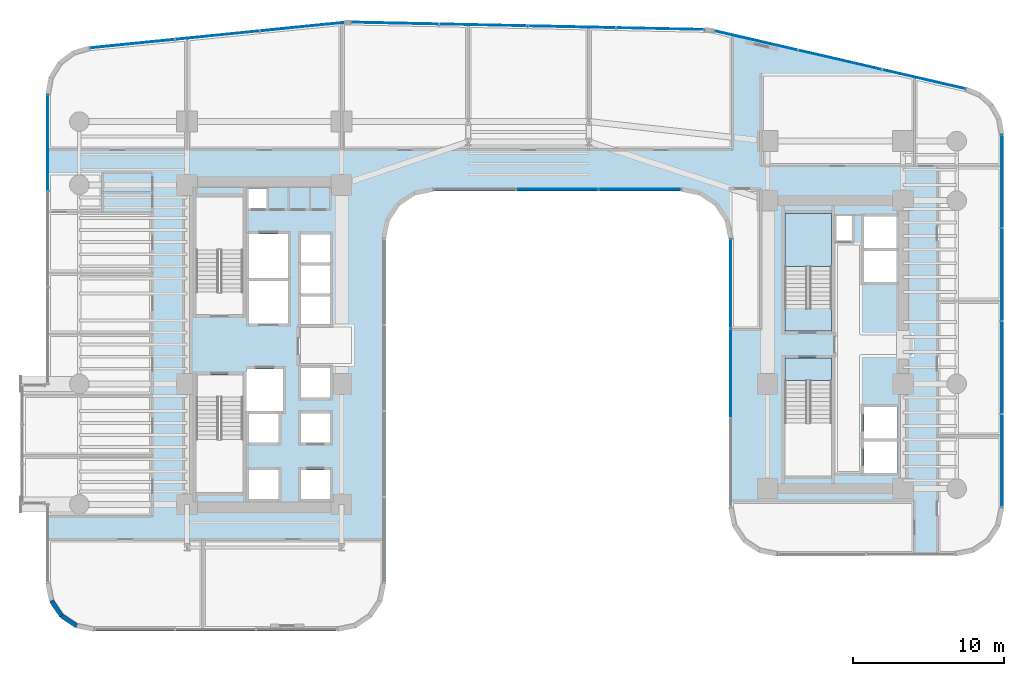
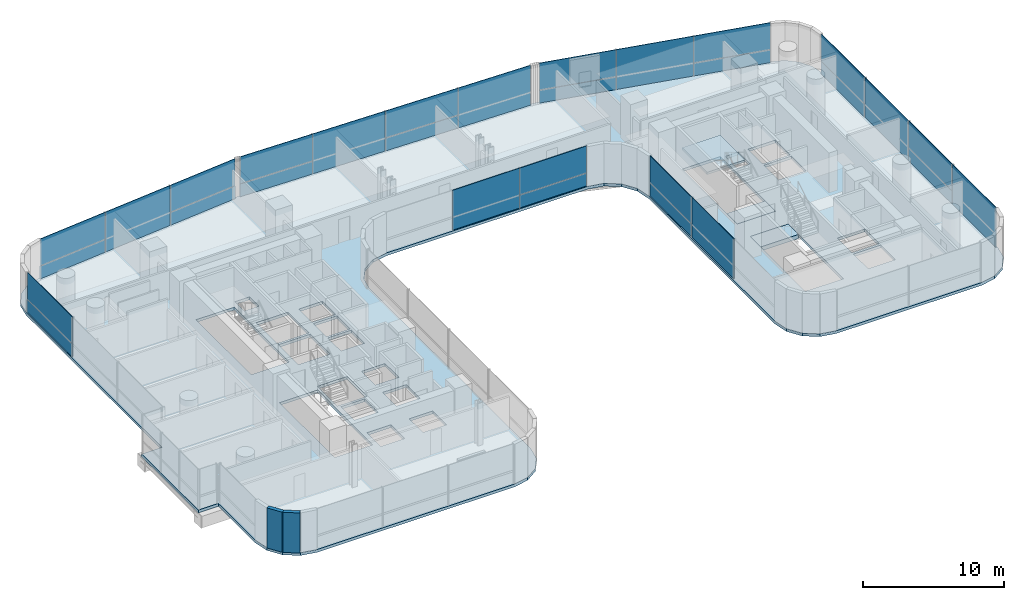
# One storey, part 29 of 39: 30 plates, 4 slabs, 2 walls, 8 elements without a shape of their own.
"""IFC4 building model written with IfcOpenShell, lengths in metres."""

from ifc_helpers import new_model, si_unit, direction, frame, frame_2d, origin, origin_2d, place, context, subcontext, project, spatial, polyline, rectangle, outline, extrude, source, transform, mapped, material, layer, layer_set, type_object, element, aggregate, save


model = new_model("IFC4")

# Units and contexts
model_context = context("Model", 3, precision=1e-05, world=origin(), true_north=direction((0.0, 1.0)))
body_context = subcontext(model_context, "Body", "Model", "MODEL_VIEW")
ifc_project = project(units=[si_unit("LENGTHUNIT", "METRE"), si_unit("AREAUNIT", "SQUARE_METRE"), si_unit("VOLUMEUNIT", "CUBIC_METRE"), si_unit("PLANEANGLEUNIT", "RADIAN"), si_unit("MASSUNIT", "GRAM", prefix="KILO")], contexts=[model_context])

# Site, building, storey
site_placement = place(None, origin())
site = spatial("IfcSite", under=ifc_project, at=site_placement, CompositionType="ELEMENT")
building_placement = place(site_placement, origin())
building = spatial("IfcBuilding", under=site, at=building_placement, Name="Valdorenza Pilgrim Sanctuary Tower", CompositionType="ELEMENT")
storey_placement = place(building_placement, frame((0.0, 0.0, 33.39990234375)))
storey = spatial("IfcBuildingStorey", under=building, at=storey_placement, Name="L07", CompositionType="ELEMENT", Elevation=33.39990234375)

# Slab
ifc_material_1 = material(Name="Concrete C40/50", Category="concrete")
ifc_layer_1 = layer(ifc_material_1, 0.239990234375, Name="Concrete C40/50")
ifc_layer_set_1 = layer_set([ifc_layer_1], Name="Concrete C40/50")
slab_type_1 = type_object("IfcSlabType", Name="SLAB-FLR-220", PredefinedType="FLOOR", material=ifc_layer_set_1)
slab_1_placement = place(storey_placement, frame((0.0, 0.0, -0.239990234375)))
element("IfcSlab", 1, at=slab_1_placement, inside=storey, type_object=slab_type_1, Name="L07 Structural Floor Slab 1", PredefinedType="FLOOR", context=body_context, shape_type="SweptSolid", body=[
    extrude(outline(polyline([(-33.64990234375, -2.60009765625), (-32.0, -2.60009765625), (-32.0, 16.60400390625), (-31.785888671875, 17.754638671875), (-31.172607421875, 18.751220703125), (-30.241943359375, 19.460693359375), (-29.118408203125, 19.7880859375), (-12.192138671875, 21.480712890625), (-11.999755859375, 21.494140625), (-11.806884765625, 21.49609375), (11.66943359375, 21.0068359375), (11.833984375, 20.999267578125), (11.997802734375, 20.983154296875), (12.160888671875, 20.95849609375), (12.322265625, 20.925537109375), (29.01953125, 17.072509765625), (30.00732421875, 16.660888671875), (30.80419921875, 15.946533203125), (31.321044921875, 15.009521484375), (31.5, 13.954345703125), (31.5, -10.800048828125), (31.25634765625, -12.024658203125), (30.562744140625, -13.062744140625), (29.524658203125, -13.75634765625), (28.300048828125, -14.0), (16.5, -14.0), (15.275390625, -13.75634765625), (14.2373046875, -13.062744140625), (13.543701171875, -12.024658203125), (13.300048828125, -10.800048828125), (13.300048828125, 7.0), (13.056396484375, 8.224609375), (12.36279296875, 9.2626953125), (11.32470703125, 9.956298828125), (10.10009765625, 10.199951171875), (-6.300048828125, 10.199951171875), (-7.524658203125, 9.956298828125), (-8.562744140625, 9.2626953125), (-9.25634765625, 8.224609375), (-9.5, 7.0), (-9.5, -15.800048828125), (-9.74365234375, -17.024658203125), (-10.437255859375, -18.062744140625), (-11.475341796875, -18.75634765625), (-12.699951171875, -19.0), (-28.800048828125, -19.0), (-30.024658203125, -18.75634765625), (-31.062744140625, -18.062744140625), (-31.75634765625, -17.024658203125), (-32.0, -15.800048828125), (-32.0, -10.60009765625), (-33.64990234375, -10.60009765625), (-33.64990234375, -2.60009765625)]), holes=[polyline([(-16.60009765625, -10.25), (-16.60009765625, -8.300048828125), (-18.550048828125, -8.300048828125), (-18.550048828125, -10.25), (-16.60009765625, -10.25)]), polyline([(-22.050048828125, -9.800048828125), (-18.93994140625, -9.800048828125), (-18.93994140625, -3.485107421875), (-18.93994140625, -2.0), (-22.050048828125, -2.0), (-22.050048828125, -3.485107421875), (-22.050048828125, -9.800048828125)]), polyline([(-18.550048828125, -6.5), (-16.60009765625, -6.5), (-16.60009765625, -4.60009765625), (-18.550048828125, -4.60009765625), (-18.550048828125, -6.5)]), polyline([(-13.179931640625, -6.5), (-13.179931640625, -4.550048828125), (-15.10009765625, -4.550048828125), (-15.10009765625, -6.5), (-13.179931640625, -6.5)]), polyline([(-18.719970703125, -4.39990234375), (-16.300048828125, -4.39990234375), (-16.300048828125, -1.60009765625), (-18.719970703125, -1.60009765625), (-18.719970703125, -4.39990234375)]), polyline([(-13.179931640625, -3.5), (-13.179931640625, -1.550048828125), (-15.10009765625, -1.550048828125), (-15.10009765625, -3.5), (-13.179931640625, -3.5)]), polyline([(-22.050048828125, 2.0), (-18.93994140625, 2.0), (-18.93994140625, 3.485107421875), (-18.93994140625, 9.800048828125), (-22.050048828125, 9.800048828125), (-22.050048828125, 3.485107421875), (-22.050048828125, 2.0)]), polyline([(-18.550048828125, 1.39990234375), (-15.949951171875, 1.39990234375), (-15.949951171875, 4.22509765625), (-18.550048828125, 4.22509765625), (-18.550048828125, 1.39990234375)]), polyline([(-15.949951171875, 4.425048828125), (-15.949951171875, 7.35009765625), (-18.550048828125, 7.35009765625), (-18.550048828125, 4.425048828125), (-15.949951171875, 4.425048828125)]), polyline([(-15.10009765625, 5.449951171875), (-13.179931640625, 5.449951171875), (-13.179931640625, 7.300048828125), (-15.10009765625, 7.300048828125), (-15.10009765625, 5.449951171875)]), polyline([(-17.360107421875, 9.030029296875), (-17.360107421875, 10.35009765625), (-18.570068359375, 10.35009765625), (-18.570068359375, 9.030029296875), (-17.360107421875, 9.030029296875)]), polyline([(-15.10009765625, -10.25), (-13.179931640625, -10.25), (-13.179931640625, -8.300048828125), (-15.10009765625, -8.300048828125), (-15.10009765625, -10.25)]), polyline([(22.25, -8.5), (24.47998046875, -8.5), (24.47998046875, -6.425048828125), (22.25, -6.425048828125), (22.25, -8.5)]), polyline([(17.0, -2.385009765625), (17.0, -8.699951171875), (20.110107421875, -8.699951171875), (20.110107421875, -2.385009765625), (20.110107421875, -0.89990234375), (17.0, -0.89990234375), (17.0, -2.385009765625)]), polyline([(22.25, -6.22509765625), (24.47998046875, -6.22509765625), (24.47998046875, -4.14990234375), (22.25, -4.14990234375), (22.25, -6.22509765625)]), polyline([(17.0, 0.89990234375), (20.110107421875, 0.89990234375), (20.110107421875, 2.385009765625), (20.110107421875, 8.699951171875), (17.0, 8.699951171875), (17.0, 2.385009765625), (17.0, 0.89990234375)]), polyline([(-15.10009765625, 1.35009765625), (-13.179931640625, 1.35009765625), (-13.179931640625, 3.199951171875), (-15.10009765625, 3.199951171875), (-15.10009765625, 1.35009765625)]), polyline([(-15.10009765625, 3.39990234375), (-13.179931640625, 3.39990234375), (-13.179931640625, 5.25), (-15.10009765625, 5.25), (-15.10009765625, 3.39990234375)]), polyline([(22.25, 4.14990234375), (24.47998046875, 4.14990234375), (24.47998046875, 6.22509765625), (22.25, 6.22509765625), (22.25, 4.14990234375)]), polyline([(22.25, 6.425048828125), (24.47998046875, 6.425048828125), (24.47998046875, 8.5), (22.25, 8.5), (22.25, 6.425048828125)]), polyline([(20.409912109375, 6.860107421875), (21.489990234375, 6.860107421875), (21.489990234375, 8.52001953125), (20.409912109375, 8.52001953125), (20.409912109375, 6.860107421875)])]), origin(), (0.0, 0.0, 1.0), 0.239990234375),
])

# Stair, slab
stair_type = type_object("IfcStairType", Name="STR-DOG-CORE", PredefinedType="HALF_TURN_STAIR", material=ifc_material_1)
stair_placement = place(storey_placement, origin())
stair = element("IfcStair", 2, at=stair_placement, inside=storey, type_object=stair_type, Name="L07 ST-B1", PredefinedType="HALF_TURN_STAIR")
ifc_layer_2 = layer(ifc_material_1, 0.199951171875, Name="Concrete C40/50")
ifc_layer_set_2 = layer_set([ifc_layer_2], Name="Concrete C40/50")
slab_type_2 = type_object("IfcSlabType", Name="SLAB-STL-200", PredefinedType="LANDING", material=ifc_layer_set_2)
slab_2_placement = place(storey_placement, frame((0.0, 0.0, 1.650146484375)))
slab_2 = element("IfcSlab", 3, at=slab_2_placement, type_object=slab_type_2, Name="ST-B1 landing 1", PredefinedType="LANDING", context=body_context, shape_type="SweptSolid", body=[
    extrude(outline(polyline([(20.110107421875, 5.179931640625), (20.110107421875, 8.699951171875), (17.0, 8.699951171875), (17.0, 5.179931640625), (20.110107421875, 5.179931640625)])), origin(), (0.0, 0.0, 1.0), 0.199951171875),
])
aggregate(stair, [slab_2])

# Slabs
ifc_material_2 = material(Name="Concrete C50/60", Category="concrete")
ifc_layer_3 = layer(ifc_material_2, 0.39990234375, Name="Concrete C50/60")
ifc_layer_set_3 = layer_set([ifc_layer_3], Name="Concrete C50/60")
slab_type_3 = type_object("IfcSlabType", Name="SLAB-TRF-400", PredefinedType="FLOOR", material=ifc_layer_set_3)
slab_3_placement = place(storey_placement, frame((0.0, 0.0, -0.35986328125)))
element("IfcSlab", 4, at=slab_3_placement, inside=storey, type_object=slab_type_3, Name="L07 ST-B1 Structural Stair Landing Bearing Slab", PredefinedType="FLOOR", context=body_context, shape_type="SweptSolid", body=[
    extrude(outline(polyline([(17.0, 0.89990234375), (20.110107421875, 0.89990234375), (20.110107421875, 2.385009765625), (17.0, 2.385009765625), (17.0, 0.89990234375)])), origin(), (0.0, 0.0, 1.0), 0.35986328125),
])
slab_4_placement = place(storey_placement, frame((0.0, 0.0, -0.35986328125)))
element("IfcSlab", 5, at=slab_4_placement, inside=storey, type_object=slab_type_3, Name="L07 ST-B2 Structural Stair Landing Bearing Slab", PredefinedType="FLOOR", context=body_context, shape_type="SweptSolid", body=[
    extrude(outline(polyline([(17.0, -2.385009765625), (20.110107421875, -2.385009765625), (20.110107421875, -0.89990234375), (17.0, -0.89990234375), (17.0, -2.385009765625)])), origin(), (0.0, 0.0, 1.0), 0.35986328125),
])

# Curtain wall, plates
ifc_material_3 = material(Name="Curtain-wall IGU glazing", Category="glass")
curtain_wall_type_1 = type_object("IfcCurtainWallType", Name="CW-SYS-02", PredefinedType="NOTDEFINED", material=ifc_material_3)
curtain_wall_1_placement = place(storey_placement, origin())
curtain_wall_1 = element("IfcCurtainWall", 6, at=curtain_wall_1_placement, inside=storey, type_object=curtain_wall_type_1, Name="L07 Curtain Wall CW-L07-1-1S2", PredefinedType="NOTDEFINED")
ifc_material_4 = material(Name="Honed travertine limestone", Category="masonry")
ifc_layer_4 = layer(ifc_material_4, 0.050048828125, Name="Honed travertine limestone")
ifc_layer_set_4 = layer_set([ifc_layer_4], Name="Honed travertine limestone")
plate_type_1 = type_object("IfcPlateType", Name="CW-SPN-TRV", PredefinedType="USERDEFINED", material=ifc_layer_set_4)
shared_shape_1 = source(origin(), body_context, "Body", "SweptSolid", [
    extrude(rectangle(XDim=6.3779296875, YDim=0.06005859375, at=origin_2d()), origin(), (0.0, 0.0, 1.0), 1.10009765625),
])
plate_1_placement = place(storey_placement, frame((-31.889892578125, 13.39501953125, 0.010009765625), z_axis=(0.0, 0.0, 1.0), x_axis=(0.0, 1.0, 0.0)))
plate_1 = element("IfcPlate", 7, at=plate_1_placement, type_object=plate_type_1, Name="CW-L07-1-1S2 Travertine Spandrel 3", ObjectType="SPANDREL", PredefinedType="USERDEFINED", context=body_context, shape_type="MappedRepresentation", body=[
    mapped(shared_shape_1, transform((0.0, 0.0, 0.0), x_axis=(1.0, 0.0, 0.0), y_axis=(0.0, 1.0, 0.0), z_axis=(0.0, 0.0, 1.0), scale=1.0)),
])
ifc_material_5 = material(Name="Ceramic-fritted low-E IGU glazing", Category="glass")
ifc_layer_5 = layer(ifc_material_5, 0.035888671875, Name="Ceramic-fritted low-E IGU glazing")
ifc_layer_set_5 = layer_set([ifc_layer_5], Name="Ceramic-fritted low-E IGU glazing")
plate_type_2 = type_object("IfcPlateType", Name="CW-GLZ-IGU", PredefinedType="USERDEFINED", material=ifc_layer_set_5)
shared_shape_2 = source(origin(), body_context, "Body", "SweptSolid", [
    extrude(rectangle(XDim=6.3779296875, YDim=0.050048828125, at=origin_2d()), origin(), (0.0, 0.0, 1.0), 2.320068359375),
])
plate_2_placement = place(storey_placement, frame((-31.889892578125, 13.39501953125, 1.1298828125), z_axis=(0.0, 0.0, 1.0), x_axis=(0.0, 1.0, 0.0)))
plate_2 = element("IfcPlate", 8, at=plate_2_placement, type_object=plate_type_2, Name="CW-L07-1-1S2 Facade Panel 3", ObjectType="GLAZING", PredefinedType="USERDEFINED", context=body_context, shape_type="MappedRepresentation", body=[
    mapped(shared_shape_2, transform((0.0, 0.0, 0.0), x_axis=(1.0, 0.0, 0.0), y_axis=(0.0, 1.0, 0.0), z_axis=(0.0, 0.0, 1.0), scale=1.0)),
])
aggregate(curtain_wall_1, [plate_1, plate_2])

curtain_wall_2_placement = place(storey_placement, origin())
curtain_wall_2 = element("IfcCurtainWall", 9, at=curtain_wall_2_placement, inside=storey, type_object=curtain_wall_type_1, Name="L07 Curtain Wall CW-L07-1-6", PredefinedType="NOTDEFINED")
shared_shape_3 = source(origin(), body_context, "Body", "SweptSolid", [
    extrude(rectangle(XDim=5.646484375, YDim=0.06005859375, at=origin_2d()), origin(), (0.0, 0.0, 1.0), 1.10009765625),
])
plate_3_placement = place(storey_placement, frame((-26.2783203125, 19.961669921875, 0.010009765625), z_axis=(0.0, 0.0, 1.0), x_axis=(0.995038220239, 0.099493418189, 0.0)))
plate_3 = element("IfcPlate", 10, at=plate_3_placement, type_object=plate_type_1, Name="CW-L07-1-6 Travertine Spandrel 1", ObjectType="SPANDREL", PredefinedType="USERDEFINED", context=body_context, shape_type="MappedRepresentation", body=[
    mapped(shared_shape_3, transform((0.0, 0.0, 0.0), x_axis=(1.0, 0.0, 0.0), y_axis=(0.0, 1.0, 0.0), z_axis=(0.0, 0.0, 1.0), scale=1.0)),
])
plate_4_placement = place(storey_placement, frame((-15.001220703125, 21.08935546875, 0.010009765625), z_axis=(0.0, 0.0, 1.0), x_axis=(0.995038220239, 0.099493418189, 0.0)))
plate_4 = element("IfcPlate", 11, at=plate_4_placement, type_object=plate_type_1, Name="CW-L07-1-6 Travertine Spandrel 3", ObjectType="SPANDREL", PredefinedType="USERDEFINED", context=body_context, shape_type="MappedRepresentation", body=[
    mapped(shared_shape_3, transform((0.0, 0.0, 0.0), x_axis=(1.0, 0.0, 0.0), y_axis=(0.0, 1.0, 0.0), z_axis=(0.0, 0.0, 1.0), scale=1.0)),
])
shared_shape_4 = source(origin(), body_context, "Body", "SweptSolid", [
    extrude(rectangle(XDim=5.646484375, YDim=0.050048828125, at=origin_2d()), origin(), (0.0, 0.0, 1.0), 2.320068359375),
])
plate_5_placement = place(storey_placement, frame((-26.2783203125, 19.961669921875, 1.1298828125), z_axis=(0.0, 0.0, 1.0), x_axis=(0.995038220239, 0.099493418189, 0.0)))
plate_5 = element("IfcPlate", 12, at=plate_5_placement, type_object=plate_type_2, Name="CW-L07-1-6 Facade Panel 1", ObjectType="GLAZING", PredefinedType="USERDEFINED", context=body_context, shape_type="MappedRepresentation", body=[
    mapped(shared_shape_4, transform((0.0, 0.0, 0.0), x_axis=(1.0, 0.0, 0.0), y_axis=(0.0, 1.0, 0.0), z_axis=(0.0, 0.0, 1.0), scale=1.0)),
])
plate_6_placement = place(storey_placement, frame((-15.001220703125, 21.08935546875, 1.1298828125), z_axis=(0.0, 0.0, 1.0), x_axis=(0.995038220239, 0.099493418189, 0.0)))
plate_6 = element("IfcPlate", 13, at=plate_6_placement, type_object=plate_type_2, Name="CW-L07-1-6 Facade Panel 3", ObjectType="GLAZING", PredefinedType="USERDEFINED", context=body_context, shape_type="MappedRepresentation", body=[
    mapped(shared_shape_4, transform((0.0, 0.0, 0.0), x_axis=(1.0, 0.0, 0.0), y_axis=(0.0, 1.0, 0.0), z_axis=(0.0, 0.0, 1.0), scale=1.0)),
])
shared_shape_5 = source(origin(), body_context, "Body", "SweptSolid", [
    extrude(rectangle(XDim=5.646484375, YDim=0.050048828125, at=origin_2d()), origin(), (0.0, 0.0, 1.0), 3.43994140625),
])
plate_7_placement = place(storey_placement, frame((-20.6396484375, 20.525634765625, 0.010009765625), z_axis=(0.0, 0.0, 1.0), x_axis=(0.995038220239, 0.099493418189, 0.0)))
plate_7 = element("IfcPlate", 14, at=plate_7_placement, type_object=plate_type_2, Name="CW-L07-1-6 Full-Height Facade Panel 2", ObjectType="GLAZING", PredefinedType="USERDEFINED", context=body_context, shape_type="MappedRepresentation", body=[
    mapped(shared_shape_5, transform((0.0, 0.0, 0.0), x_axis=(1.0, 0.0, 0.0), y_axis=(0.0, 1.0, 0.0), z_axis=(0.0, 0.0, 1.0), scale=1.0)),
])
aggregate(curtain_wall_2, [plate_3, plate_5, plate_7, plate_4, plate_6])

curtain_wall_3_placement = place(storey_placement, origin())
curtain_wall_3 = element("IfcCurtainWall", 15, at=curtain_wall_3_placement, inside=storey, type_object=curtain_wall_type_1, Name="L07 Curtain Wall CW-L07-1-11", PredefinedType="NOTDEFINED")
shared_shape_6 = source(origin(), body_context, "Body", "SweptSolid", [
    extrude(rectangle(XDim=5.849853515625, YDim=0.06005859375, at=origin_2d()), origin(), (0.0, 0.0, 1.0), 1.10009765625),
])
plate_8_placement = place(storey_placement, frame((-8.8740234375, 21.324951171875, 0.010009765625), z_axis=(0.0, 0.0, 1.0), x_axis=(0.999783234613, -0.020820273474, 0.0)))
plate_8 = element("IfcPlate", 16, at=plate_8_placement, type_object=plate_type_1, Name="CW-L07-1-11 Travertine Spandrel 1", ObjectType="SPANDREL", PredefinedType="USERDEFINED", context=body_context, shape_type="MappedRepresentation", body=[
    mapped(shared_shape_6, transform((0.0, 0.0, 0.0), x_axis=(1.0, 0.0, 0.0), y_axis=(0.0, 1.0, 0.0), z_axis=(0.0, 0.0, 1.0), scale=1.0)),
])
plate_9_placement = place(storey_placement, frame((2.86279296875, 21.080322265625, 0.010009765625), z_axis=(0.0, 0.0, 1.0), x_axis=(0.999783234613, -0.020820273474, 0.0)))
plate_9 = element("IfcPlate", 17, at=plate_9_placement, type_object=plate_type_1, Name="CW-L07-1-11 Travertine Spandrel 3", ObjectType="SPANDREL", PredefinedType="USERDEFINED", context=body_context, shape_type="MappedRepresentation", body=[
    mapped(shared_shape_6, transform((0.0, 0.0, 0.0), x_axis=(1.0, 0.0, 0.0), y_axis=(0.0, 1.0, 0.0), z_axis=(0.0, 0.0, 1.0), scale=1.0)),
])
shared_shape_7 = source(origin(), body_context, "Body", "SweptSolid", [
    extrude(rectangle(XDim=5.849853515625, YDim=0.050048828125, at=origin_2d()), origin(), (0.0, 0.0, 1.0), 2.320068359375),
])
plate_10_placement = place(storey_placement, frame((-8.8740234375, 21.324951171875, 1.1298828125), z_axis=(0.0, 0.0, 1.0), x_axis=(0.999783234613, -0.020820273474, 0.0)))
plate_10 = element("IfcPlate", 18, at=plate_10_placement, type_object=plate_type_2, Name="CW-L07-1-11 Facade Panel 1", ObjectType="GLAZING", PredefinedType="USERDEFINED", context=body_context, shape_type="MappedRepresentation", body=[
    mapped(shared_shape_7, transform((0.0, 0.0, 0.0), x_axis=(1.0, 0.0, 0.0), y_axis=(0.0, 1.0, 0.0), z_axis=(0.0, 0.0, 1.0), scale=1.0)),
])
plate_11_placement = place(storey_placement, frame((2.86279296875, 21.080322265625, 1.1298828125), z_axis=(0.0, 0.0, 1.0), x_axis=(0.999783234613, -0.020820273474, 0.0)))
plate_11 = element("IfcPlate", 19, at=plate_11_placement, type_object=plate_type_2, Name="CW-L07-1-11 Facade Panel 3", ObjectType="GLAZING", PredefinedType="USERDEFINED", context=body_context, shape_type="MappedRepresentation", body=[
    mapped(shared_shape_7, transform((0.0, 0.0, 0.0), x_axis=(1.0, 0.0, 0.0), y_axis=(0.0, 1.0, 0.0), z_axis=(0.0, 0.0, 1.0), scale=1.0)),
])
shared_shape_8 = source(origin(), body_context, "Body", "SweptSolid", [
    extrude(rectangle(XDim=5.849853515625, YDim=0.050048828125, at=origin_2d()), origin(), (0.0, 0.0, 1.0), 3.43994140625),
])
plate_12_placement = place(storey_placement, frame((-3.005615234375, 21.20263671875, 0.010009765625), z_axis=(0.0, 0.0, 1.0), x_axis=(0.999783234613, -0.020820273474, 0.0)))
plate_12 = element("IfcPlate", 20, at=plate_12_placement, type_object=plate_type_2, Name="CW-L07-1-11 Full-Height Facade Panel 2", ObjectType="GLAZING", PredefinedType="USERDEFINED", context=body_context, shape_type="MappedRepresentation", body=[
    mapped(shared_shape_8, transform((0.0, 0.0, 0.0), x_axis=(1.0, 0.0, 0.0), y_axis=(0.0, 1.0, 0.0), z_axis=(0.0, 0.0, 1.0), scale=1.0)),
])
plate_13_placement = place(storey_placement, frame((8.7314453125, 20.9580078125, 0.010009765625), z_axis=(0.0, 0.0, 1.0), x_axis=(0.999783234613, -0.020820273474, 0.0)))
plate_13 = element("IfcPlate", 21, at=plate_13_placement, type_object=plate_type_2, Name="CW-L07-1-11 Full-Height Facade Panel 4", ObjectType="GLAZING", PredefinedType="USERDEFINED", context=body_context, shape_type="MappedRepresentation", body=[
    mapped(shared_shape_8, transform((0.0, 0.0, 0.0), x_axis=(1.0, 0.0, 0.0), y_axis=(0.0, 1.0, 0.0), z_axis=(0.0, 0.0, 1.0), scale=1.0)),
])
aggregate(curtain_wall_3, [plate_8, plate_10, plate_12, plate_9, plate_11, plate_13])

curtain_wall_type_2 = type_object("IfcCurtainWallType", Name="CW-SYS-03", PredefinedType="NOTDEFINED", material=ifc_material_3)
curtain_wall_4_placement = place(storey_placement, origin())
curtain_wall_4 = element("IfcCurtainWall", 22, at=curtain_wall_4_placement, inside=storey, type_object=curtain_wall_type_2, Name="L07 Curtain Wall CW-L07-1-16", PredefinedType="NOTDEFINED")
shared_shape_9 = source(origin(), body_context, "Body", "SweptSolid", [
    extrude(rectangle(XDim=5.6884765625, YDim=0.06005859375, at=origin_2d()), origin(), (0.0, 0.0, 1.0), 1.10009765625),
])
plate_14_placement = place(storey_placement, frame((15.080078125, 20.17626953125, 0.010009765625), z_axis=(0.0, 0.0, 1.0), x_axis=(0.974389691758, -0.224866023659, 0.0)))
plate_14 = element("IfcPlate", 23, at=plate_14_placement, type_object=plate_type_1, Name="CW-L07-1-16 Travertine Spandrel 1", ObjectType="SPANDREL", PredefinedType="USERDEFINED", context=body_context, shape_type="MappedRepresentation", body=[
    mapped(shared_shape_9, transform((0.0, 0.0, 0.0), x_axis=(1.0, 0.0, 0.0), y_axis=(0.0, 1.0, 0.0), z_axis=(0.0, 0.0, 1.0), scale=1.0)),
])
plate_15_placement = place(storey_placement, frame((26.20458984375, 17.609130859375, 0.010009765625), z_axis=(0.0, 0.0, 1.0), x_axis=(0.974389691758, -0.224866023659, 0.0)))
plate_15 = element("IfcPlate", 24, at=plate_15_placement, type_object=plate_type_1, Name="CW-L07-1-16 Travertine Spandrel 3", ObjectType="SPANDREL", PredefinedType="USERDEFINED", context=body_context, shape_type="MappedRepresentation", body=[
    mapped(shared_shape_9, transform((0.0, 0.0, 0.0), x_axis=(1.0, 0.0, 0.0), y_axis=(0.0, 1.0, 0.0), z_axis=(0.0, 0.0, 1.0), scale=1.0)),
])
shared_shape_10 = source(origin(), body_context, "Body", "SweptSolid", [
    extrude(rectangle(XDim=5.6884765625, YDim=0.050048828125, at=origin_2d()), origin(), (0.0, 0.0, 1.0), 2.320068359375),
])
plate_16_placement = place(storey_placement, frame((15.080078125, 20.17626953125, 1.1298828125), z_axis=(0.0, 0.0, 1.0), x_axis=(0.974389691758, -0.224866023659, 0.0)))
plate_16 = element("IfcPlate", 25, at=plate_16_placement, type_object=plate_type_2, Name="CW-L07-1-16 Facade Panel 1", ObjectType="GLAZING", PredefinedType="USERDEFINED", context=body_context, shape_type="MappedRepresentation", body=[
    mapped(shared_shape_10, transform((0.0, 0.0, 0.0), x_axis=(1.0, 0.0, 0.0), y_axis=(0.0, 1.0, 0.0), z_axis=(0.0, 0.0, 1.0), scale=1.0)),
])
plate_17_placement = place(storey_placement, frame((26.20458984375, 17.609130859375, 1.1298828125), z_axis=(0.0, 0.0, 1.0), x_axis=(0.974389691758, -0.224866023659, 0.0)))
plate_17 = element("IfcPlate", 26, at=plate_17_placement, type_object=plate_type_2, Name="CW-L07-1-16 Facade Panel 3", ObjectType="GLAZING", PredefinedType="USERDEFINED", context=body_context, shape_type="MappedRepresentation", body=[
    mapped(shared_shape_10, transform((0.0, 0.0, 0.0), x_axis=(1.0, 0.0, 0.0), y_axis=(0.0, 1.0, 0.0), z_axis=(0.0, 0.0, 1.0), scale=1.0)),
])
shared_shape_11 = source(origin(), body_context, "Body", "SweptSolid", [
    extrude(rectangle(XDim=5.6884765625, YDim=0.050048828125, at=origin_2d()), origin(), (0.0, 0.0, 1.0), 3.43994140625),
])
plate_18_placement = place(storey_placement, frame((20.642333984375, 18.892578125, 0.010009765625), z_axis=(0.0, 0.0, 1.0), x_axis=(0.974389691758, -0.224866023659, 0.0)))
plate_18 = element("IfcPlate", 27, at=plate_18_placement, type_object=plate_type_2, Name="CW-L07-1-16 Full-Height Facade Panel 2", ObjectType="GLAZING", PredefinedType="USERDEFINED", context=body_context, shape_type="MappedRepresentation", body=[
    mapped(shared_shape_11, transform((0.0, 0.0, 0.0), x_axis=(1.0, 0.0, 0.0), y_axis=(0.0, 1.0, 0.0), z_axis=(0.0, 0.0, 1.0), scale=1.0)),
])
aggregate(curtain_wall_4, [plate_14, plate_16, plate_18, plate_15, plate_17])

curtain_wall_5_placement = place(storey_placement, origin())
curtain_wall_5 = element("IfcCurtainWall", 28, at=curtain_wall_5_placement, inside=storey, type_object=curtain_wall_type_2, Name="L07 Curtain Wall CW-L07-1-21", PredefinedType="NOTDEFINED")
shared_shape_12 = source(origin(), body_context, "Body", "SweptSolid", [
    extrude(rectangle(XDim=6.16357421875, YDim=0.06005859375, at=origin_2d()), origin(), (0.0, 0.0, 1.0), 1.10009765625),
])
plate_19_placement = place(storey_placement, frame((31.389892578125, 10.853271484375, 0.010009765625), z_axis=(0.0, 0.0, 1.0), x_axis=(0.0, -1.0, 0.0)))
plate_19 = element("IfcPlate", 29, at=plate_19_placement, type_object=plate_type_1, Name="CW-L07-1-21 Travertine Spandrel 1", ObjectType="SPANDREL", PredefinedType="USERDEFINED", context=body_context, shape_type="MappedRepresentation", body=[
    mapped(shared_shape_12, transform((0.0, 0.0, 0.0), x_axis=(1.0, 0.0, 0.0), y_axis=(0.0, 1.0, 0.0), z_axis=(0.0, 0.0, 1.0), scale=1.0)),
])
plate_20_placement = place(storey_placement, frame((31.389892578125, -1.513916015625, 0.010009765625), z_axis=(0.0, 0.0, 1.0), x_axis=(0.0, -1.0, 0.0)))
plate_20 = element("IfcPlate", 30, at=plate_20_placement, type_object=plate_type_1, Name="CW-L07-1-21 Travertine Spandrel 3", ObjectType="SPANDREL", PredefinedType="USERDEFINED", context=body_context, shape_type="MappedRepresentation", body=[
    mapped(shared_shape_12, transform((0.0, 0.0, 0.0), x_axis=(1.0, 0.0, 0.0), y_axis=(0.0, 1.0, 0.0), z_axis=(0.0, 0.0, 1.0), scale=1.0)),
])
shared_shape_13 = source(origin(), body_context, "Body", "SweptSolid", [
    extrude(rectangle(XDim=6.16357421875, YDim=0.050048828125, at=origin_2d()), origin(), (0.0, 0.0, 1.0), 2.320068359375),
])
plate_21_placement = place(storey_placement, frame((31.389892578125, 10.853271484375, 1.1298828125), z_axis=(0.0, 0.0, 1.0), x_axis=(0.0, -1.0, 0.0)))
plate_21 = element("IfcPlate", 31, at=plate_21_placement, type_object=plate_type_2, Name="CW-L07-1-21 Facade Panel 1", ObjectType="GLAZING", PredefinedType="USERDEFINED", context=body_context, shape_type="MappedRepresentation", body=[
    mapped(shared_shape_13, transform((0.0, 0.0, 0.0), x_axis=(1.0, 0.0, 0.0), y_axis=(0.0, 1.0, 0.0), z_axis=(0.0, 0.0, 1.0), scale=1.0)),
])
plate_22_placement = place(storey_placement, frame((31.389892578125, -1.513916015625, 1.1298828125), z_axis=(0.0, 0.0, 1.0), x_axis=(0.0, -1.0, 0.0)))
plate_22 = element("IfcPlate", 32, at=plate_22_placement, type_object=plate_type_2, Name="CW-L07-1-21 Facade Panel 3", ObjectType="GLAZING", PredefinedType="USERDEFINED", context=body_context, shape_type="MappedRepresentation", body=[
    mapped(shared_shape_13, transform((0.0, 0.0, 0.0), x_axis=(1.0, 0.0, 0.0), y_axis=(0.0, 1.0, 0.0), z_axis=(0.0, 0.0, 1.0), scale=1.0)),
])
shared_shape_14 = source(origin(), body_context, "Body", "SweptSolid", [
    extrude(rectangle(XDim=6.16357421875, YDim=0.050048828125, at=origin_2d()), origin(), (0.0, 0.0, 1.0), 3.43994140625),
])
plate_23_placement = place(storey_placement, frame((31.389892578125, 4.669677734375, 0.010009765625), z_axis=(0.0, 0.0, 1.0), x_axis=(0.0, -1.0, 0.0)))
plate_23 = element("IfcPlate", 33, at=plate_23_placement, type_object=plate_type_2, Name="CW-L07-1-21 Full-Height Facade Panel 2", ObjectType="GLAZING", PredefinedType="USERDEFINED", context=body_context, shape_type="MappedRepresentation", body=[
    mapped(shared_shape_14, transform((0.0, 0.0, 0.0), x_axis=(1.0, 0.0, 0.0), y_axis=(0.0, 1.0, 0.0), z_axis=(0.0, 0.0, 1.0), scale=1.0)),
])
plate_24_placement = place(storey_placement, frame((31.389892578125, -7.697509765625, 0.010009765625), z_axis=(0.0, 0.0, 1.0), x_axis=(0.0, -1.0, 0.0)))
plate_24 = element("IfcPlate", 34, at=plate_24_placement, type_object=plate_type_2, Name="CW-L07-1-21 Full-Height Facade Panel 4", ObjectType="GLAZING", PredefinedType="USERDEFINED", context=body_context, shape_type="MappedRepresentation", body=[
    mapped(shared_shape_14, transform((0.0, 0.0, 0.0), x_axis=(1.0, 0.0, 0.0), y_axis=(0.0, 1.0, 0.0), z_axis=(0.0, 0.0, 1.0), scale=1.0)),
])
aggregate(curtain_wall_5, [plate_19, plate_21, plate_23, plate_20, plate_22, plate_24])

curtain_wall_6_placement = place(storey_placement, origin())
curtain_wall_6 = element("IfcCurtainWall", 35, at=curtain_wall_6_placement, inside=storey, type_object=curtain_wall_type_2, Name="L07 Curtain Wall CW-L07-1-31", PredefinedType="NOTDEFINED")
shared_shape_15 = source(origin(), body_context, "Body", "SweptSolid", [
    extrude(rectangle(XDim=5.913330078125, YDim=0.06005859375, at=origin_2d()), origin(), (0.0, 0.0, 1.0), 1.10009765625),
])
plate_25_placement = place(storey_placement, frame((13.409912109375, 4.044189453125, 0.010009765625), z_axis=(0.0, 0.0, 1.0), x_axis=(0.0, 1.0, 0.0)))
plate_25 = element("IfcPlate", 36, at=plate_25_placement, type_object=plate_type_1, Name="CW-L07-1-31 Travertine Spandrel 3", ObjectType="SPANDREL", PredefinedType="USERDEFINED", context=body_context, shape_type="MappedRepresentation", body=[
    mapped(shared_shape_15, transform((0.0, 0.0, 0.0), x_axis=(1.0, 0.0, 0.0), y_axis=(0.0, 1.0, 0.0), z_axis=(0.0, 0.0, 1.0), scale=1.0)),
])
shared_shape_16 = source(origin(), body_context, "Body", "SweptSolid", [
    extrude(rectangle(XDim=5.913330078125, YDim=0.050048828125, at=origin_2d()), origin(), (0.0, 0.0, 1.0), 2.320068359375),
])
plate_26_placement = place(storey_placement, frame((13.409912109375, 4.044189453125, 1.1298828125), z_axis=(0.0, 0.0, 1.0), x_axis=(0.0, 1.0, 0.0)))
plate_26 = element("IfcPlate", 37, at=plate_26_placement, type_object=plate_type_2, Name="CW-L07-1-31 Facade Panel 3", ObjectType="GLAZING", PredefinedType="USERDEFINED", context=body_context, shape_type="MappedRepresentation", body=[
    mapped(shared_shape_16, transform((0.0, 0.0, 0.0), x_axis=(1.0, 0.0, 0.0), y_axis=(0.0, 1.0, 0.0), z_axis=(0.0, 0.0, 1.0), scale=1.0)),
])
shared_shape_17 = source(origin(), body_context, "Body", "SweptSolid", [
    extrude(rectangle(XDim=5.913330078125, YDim=0.050048828125, at=origin_2d()), origin(), (0.0, 0.0, 1.0), 3.43994140625),
])
plate_27_placement = place(storey_placement, frame((13.409912109375, -1.88916015625, 0.010009765625), z_axis=(0.0, 0.0, 1.0), x_axis=(0.0, 1.0, 0.0)))
plate_27 = element("IfcPlate", 38, at=plate_27_placement, type_object=plate_type_2, Name="CW-L07-1-31 Full-Height Facade Panel 2", ObjectType="GLAZING", PredefinedType="USERDEFINED", context=body_context, shape_type="MappedRepresentation", body=[
    mapped(shared_shape_17, transform((0.0, 0.0, 0.0), x_axis=(1.0, 0.0, 0.0), y_axis=(0.0, 1.0, 0.0), z_axis=(0.0, 0.0, 1.0), scale=1.0)),
])
aggregate(curtain_wall_6, [plate_27, plate_25, plate_26])

curtain_wall_7_placement = place(storey_placement, origin())
curtain_wall_7 = element("IfcCurtainWall", 39, at=curtain_wall_7_placement, inside=storey, type_object=curtain_wall_type_1, Name="L07 Curtain Wall CW-L07-1-36", PredefinedType="NOTDEFINED")
shared_shape_18 = source(origin(), body_context, "Body", "SweptSolid", [
    extrude(rectangle(XDim=5.453857421875, YDim=0.06005859375, at=origin_2d()), origin(), (0.0, 0.0, 1.0), 1.10009765625),
])
plate_28_placement = place(storey_placement, frame((7.373779296875, 10.31005859375, 0.010009765625), z_axis=(0.0, 0.0, 1.0), x_axis=(-1.0, 0.0, 0.0)))
plate_28 = element("IfcPlate", 40, at=plate_28_placement, type_object=plate_type_1, Name="CW-L07-1-36 Travertine Spandrel 1", ObjectType="SPANDREL", PredefinedType="USERDEFINED", context=body_context, shape_type="MappedRepresentation", body=[
    mapped(shared_shape_18, transform((0.0, 0.0, 0.0), x_axis=(1.0, 0.0, 0.0), y_axis=(0.0, 1.0, 0.0), z_axis=(0.0, 0.0, 1.0), scale=1.0)),
])
shared_shape_19 = source(origin(), body_context, "Body", "SweptSolid", [
    extrude(rectangle(XDim=5.453857421875, YDim=0.050048828125, at=origin_2d()), origin(), (0.0, 0.0, 1.0), 2.320068359375),
])
plate_29_placement = place(storey_placement, frame((7.373779296875, 10.31005859375, 1.1298828125), z_axis=(0.0, 0.0, 1.0), x_axis=(-1.0, 0.0, 0.0)))
plate_29 = element("IfcPlate", 41, at=plate_29_placement, type_object=plate_type_2, Name="CW-L07-1-36 Facade Panel 1", ObjectType="GLAZING", PredefinedType="USERDEFINED", context=body_context, shape_type="MappedRepresentation", body=[
    mapped(shared_shape_19, transform((0.0, 0.0, 0.0), x_axis=(1.0, 0.0, 0.0), y_axis=(0.0, 1.0, 0.0), z_axis=(0.0, 0.0, 1.0), scale=1.0)),
])
shared_shape_20 = source(origin(), body_context, "Body", "SweptSolid", [
    extrude(rectangle(XDim=5.453857421875, YDim=0.050048828125, at=origin_2d()), origin(), (0.0, 0.0, 1.0), 3.43994140625),
])
plate_30_placement = place(storey_placement, frame((1.89990234375, 10.31005859375, 0.010009765625), z_axis=(0.0, 0.0, 1.0), x_axis=(-1.0, 0.0, 0.0)))
plate_30 = element("IfcPlate", 42, at=plate_30_placement, type_object=plate_type_2, Name="CW-L07-1-36 Full-Height Facade Panel 2", ObjectType="GLAZING", PredefinedType="USERDEFINED", context=body_context, shape_type="MappedRepresentation", body=[
    mapped(shared_shape_20, transform((0.0, 0.0, 0.0), x_axis=(1.0, 0.0, 0.0), y_axis=(0.0, 1.0, 0.0), z_axis=(0.0, 0.0, 1.0), scale=1.0)),
])
aggregate(curtain_wall_7, [plate_28, plate_29, plate_30])

# Walls
ifc_layer_6 = layer(ifc_material_4, 0.300048828125, Name="Honed travertine limestone")
ifc_layer_set_6 = layer_set([ifc_layer_6], Name="Honed travertine limestone")
wall_type = type_object("IfcWallType", Name="WAL-EXT-300", PredefinedType="SOLIDWALL", material=ifc_layer_set_6)
for number, where, z_axis, x_axis, name in (
    (43, (-29.981689453125, -18.65283203125, 0.0), (0.0, 0.0, 1.0), (-0.831426265255, 0.555635100982, 0.0), "L07 Rounded Wind-Corner Stone Pier 48"),
    (44, (-30.9833984375, -17.9833984375, 0.0), (0.0, 0.0, 1.0), (-0.555635100982, 0.831426265255, 0.0), "L07 Rounded Wind-Corner Stone Pier 49"),
):
    element("IfcWall", number, at=place(storey_placement, frame(where, z_axis=z_axis, x_axis=x_axis)), inside=storey, type_object=wall_type, Name=name, PredefinedType="SOLIDWALL", context=body_context, shape_type="SweptSolid", body=[
        extrude(rectangle(XDim=1.204833984375, YDim=0.300048828125, at=frame_2d((0.6025390625, 0.0))), origin(), (0.0, 0.0, 1.0), 3.460205078125),
    ])

save(model, "model.ifc")
